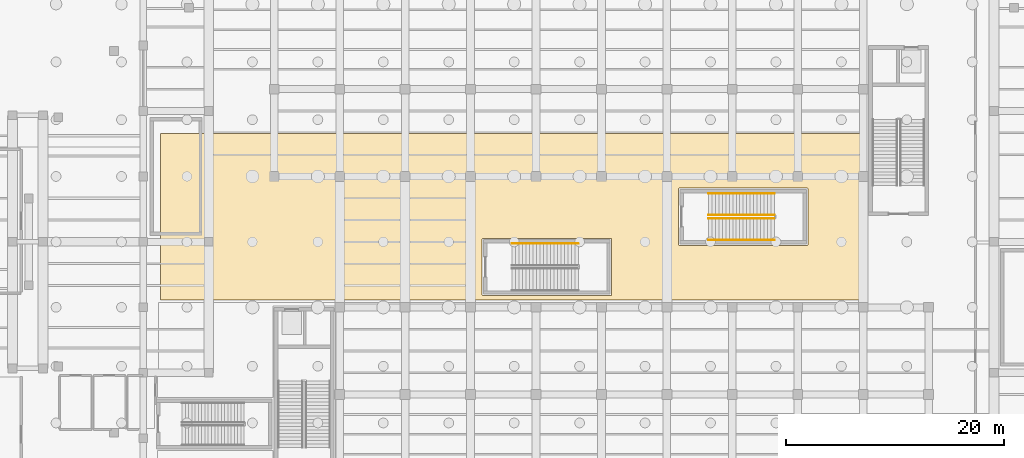
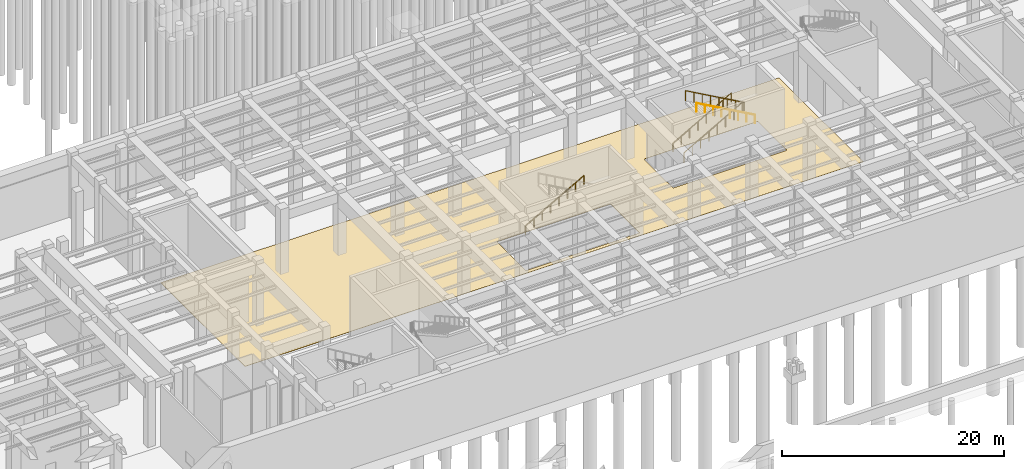
# One storey, part 27 of 30: 5 railings, 1 covering, 2 elements without a shape of their own.
"""IFC4 building model written with IfcOpenShell, lengths in metres."""

from ifc_helpers import new_model, si_unit, direction, frame, origin, origin_2d, place, context, subcontext, project, spatial, polyline, circle, outline, extrude, material, layer, layer_set, type_object, element, aggregate, save


model = new_model("IFC4")

# Units and contexts
model_context = context("Model", 3, precision=1e-05, world=origin(), true_north=direction((0.0, 1.0)))
body_context = subcontext(model_context, "Body", "Model", "MODEL_VIEW")
ifc_project = project(units=[si_unit("LENGTHUNIT", "METRE"), si_unit("AREAUNIT", "SQUARE_METRE"), si_unit("VOLUMEUNIT", "CUBIC_METRE"), si_unit("PLANEANGLEUNIT", "RADIAN"), si_unit("MASSUNIT", "GRAM", prefix="KILO")], contexts=[model_context])

# Site, building, storey
site_placement = place(None, origin())
site = spatial("IfcSite", under=ifc_project, at=site_placement, CompositionType="ELEMENT")
building_placement = place(site_placement, origin())
building = spatial("IfcBuilding", under=site, at=building_placement, Name="Kolvaren Corner Interchange", CompositionType="ELEMENT")
storey_placement = place(building_placement, frame((0.0, 0.0, -7.199951171875)))
storey = spatial("IfcBuildingStorey", under=building, at=storey_placement, Name="B1", CompositionType="ELEMENT", Elevation=-7.199951171875)

# Covering
ifc_material_1 = material(Name="Polished Niger Delta Granite Terrazzo Flooring", Category="masonry")
ifc_layer = layer(ifc_material_1, 0.030029296875)
ifc_layer_set = layer_set([ifc_layer], Name="Polished Niger Delta Granite Terrazzo Flooring")
covering_type = type_object("IfcCoveringType", Name="COV-FLR-TER30", PredefinedType="FLOORING", material=ifc_layer_set)
covering_placement = place(storey_placement, origin())
element("IfcCovering", 1, at=covering_placement, inside=storey, type_object=covering_type, Name="B1 Metro Island Platform Floor Finish", PredefinedType="FLOORING", context=body_context, shape_type="SweptSolid", body=[
    extrude(outline(polyline([(49.580078125, 42.679931640625), (114.02001953125, 42.679931640625), (114.02001953125, 57.919921875), (49.580078125, 57.919921875), (49.580078125, 42.679931640625)]), holes=[polyline([(97.093505859375, 47.693359375), (97.070068359375, 47.75), (97.070068359375, 52.85009765625), (97.08349609375, 52.894287109375), (97.119384765625, 52.923828125), (108.85009765625, 52.929931640625), (108.894287109375, 52.91650390625), (108.923828125, 52.880615234375), (108.929931640625, 47.75), (108.91650390625, 47.70556640625), (108.880615234375, 47.676025390625), (97.14990234375, 47.669921875), (97.093505859375, 47.693359375)]), polyline([(79.093505859375, 48.306640625), (79.14990234375, 48.330078125), (90.880615234375, 48.323974609375), (90.91650390625, 48.29443359375), (90.929931640625, 48.25), (90.923828125, 43.119384765625), (90.894287109375, 43.08349609375), (90.85009765625, 43.070068359375), (79.119384765625, 43.076171875), (79.08349609375, 43.105712890625), (79.070068359375, 43.14990234375), (79.070068359375, 48.25), (79.093505859375, 48.306640625)])]), origin(), (0.0, 0.0, 1.0), 0.030029296875),
])

# Stair, railings
ifc_material_2 = material(Name="Concrete C35/45", Category="concrete")
stair_type = type_object("IfcStairType", Name="ST-PL-2100", PredefinedType="HALF_TURN_STAIR", material=ifc_material_2)
stair_1_placement = place(storey_placement, origin())
stair_1 = element("IfcStair", 2, at=stair_1_placement, inside=storey, type_object=stair_type, Name="Metro Island Platform East Transfer Stair B1 to L01 Stair", PredefinedType="HALF_TURN_STAIR")
ifc_material_3 = material(Name="Powder-Coated Steel Stairwell Guardrail", Category="steel")
railing_type_1 = type_object("IfcRailingType", Name="RLT-STAIR-GRD1120", PredefinedType="GUARDRAIL", material=ifc_material_3)
railing_1_placement = place(storey_placement, frame((99.800048828125, 50.449951171875, 0.179931640625)))
railing_1 = element("IfcRailing", 3, at=railing_1_placement, type_object=railing_type_1, Name="Metro Island Platform East Transfer Stair B1 Lower Flight Well Guardrail", PredefinedType="GUARDRAIL", context=body_context, shape_type="SweptSolid", body=[
    extrude(circle(Radius=0.02392578125, at=origin_2d()), frame((0.0, 0.0, 1.09619140625), z_axis=(0.871574602437, 0.0, 0.490262901295), x_axis=(0.0, 1.0, 0.0)), (0.0, 0.0, 1.0), 6.9755859375),
    extrude(circle(Radius=0.02001953125, at=origin_2d()), origin(), (0.0, 0.0, 1.0), 1.072021484375),
    extrude(circle(Radius=0.02001953125, at=origin_2d()), frame((0.86865234375, 0.0, 0.488525390625)), (0.0, 0.0, 1.0), 1.072021484375),
    extrude(circle(Radius=0.02001953125, at=origin_2d()), frame((1.737060546875, 0.0, 0.97705078125)), (0.0, 0.0, 1.0), 1.072021484375),
    extrude(circle(Radius=0.02001953125, at=origin_2d()), frame((2.605712890625, 0.0, 1.465576171875)), (0.0, 0.0, 1.0), 1.072021484375),
    extrude(circle(Radius=0.02001953125, at=origin_2d()), frame((3.47412109375, 0.0, 1.954345703125)), (0.0, 0.0, 1.0), 1.072021484375),
    extrude(circle(Radius=0.02001953125, at=origin_2d()), frame((4.3427734375, 0.0, 2.44287109375)), (0.0, 0.0, 1.0), 1.072021484375),
    extrude(circle(Radius=0.02001953125, at=origin_2d()), frame((5.211181640625, 0.0, 2.931396484375)), (0.0, 0.0, 1.0), 1.072021484375),
    extrude(circle(Radius=0.02001953125, at=origin_2d()), frame((6.079833984375, 0.0, 3.419921875)), (0.0, 0.0, 1.0), 1.072021484375),
])
railing_2_placement = place(storey_placement, frame((105.8798828125, 50.14990234375, 3.780029296875)))
railing_2 = element("IfcRailing", 4, at=railing_2_placement, type_object=railing_type_1, Name="Metro Island Platform East Transfer Stair B1 Upper Flight Well Guardrail", PredefinedType="GUARDRAIL", context=body_context, shape_type="SweptSolid", body=[
    extrude(circle(Radius=0.02392578125, at=origin_2d()), frame((0.0, 0.0, 1.09619140625), z_axis=(-0.871574602437, 0.0, 0.490262901295), x_axis=(0.0, -1.0, 0.0)), (0.0, 0.0, 1.0), 6.9755859375),
    extrude(circle(Radius=0.02001953125, at=origin_2d()), origin(), (0.0, 0.0, 1.0), 1.072021484375),
    extrude(circle(Radius=0.02001953125, at=origin_2d()), frame((-0.86865234375, 0.0, 0.488525390625)), (0.0, 0.0, 1.0), 1.072021484375),
    extrude(circle(Radius=0.02001953125, at=origin_2d()), frame((-1.737060546875, 0.0, 0.97705078125)), (0.0, 0.0, 1.0), 1.072021484375),
    extrude(circle(Radius=0.02001953125, at=origin_2d()), frame((-2.605712890625, 0.0, 1.465576171875)), (0.0, 0.0, 1.0), 1.072021484375),
    extrude(circle(Radius=0.02001953125, at=origin_2d()), frame((-3.47412109375, 0.0, 1.954345703125)), (0.0, 0.0, 1.0), 1.072021484375),
    extrude(circle(Radius=0.02001953125, at=origin_2d()), frame((-4.3427734375, 0.0, 2.44287109375)), (0.0, 0.0, 1.0), 1.072021484375),
    extrude(circle(Radius=0.02001953125, at=origin_2d()), frame((-5.211181640625, 0.0, 2.931396484375)), (0.0, 0.0, 1.0), 1.072021484375),
    extrude(circle(Radius=0.02001953125, at=origin_2d()), frame((-6.079833984375, 0.0, 3.419921875)), (0.0, 0.0, 1.0), 1.072021484375),
])

# Stair, railing
stair_2_placement = place(storey_placement, origin())
stair_2 = element("IfcStair", 5, at=stair_2_placement, inside=storey, type_object=stair_type, Name="Metro Island Platform West Transfer Stair B1 to L01 Stair", PredefinedType="HALF_TURN_STAIR")
ifc_material_4 = material(Name="Brushed Stainless Steel Stair Handrail", Category="steel")
railing_type_2 = type_object("IfcRailingType", Name="RLT-STAIR-HR950", PredefinedType="HANDRAIL", material=ifc_material_4)
railing_3_placement = place(storey_placement, frame((81.800048828125, 47.840087890625, 0.179931640625)))
railing_3 = element("IfcRailing", 6, at=railing_3_placement, type_object=railing_type_2, Name="Metro Island Platform West Transfer Stair B1 Lower Flight Wall Handrail", PredefinedType="HANDRAIL", context=body_context, shape_type="SweptSolid", body=[
    extrude(circle(Radius=0.02197265625, at=origin_2d()), frame((0.0, 0.0, 0.927978515625), z_axis=(0.871574602437, 0.0, 0.490262901295), x_axis=(0.0, 1.0, 0.0)), (0.0, 0.0, 1.0), 6.9755859375),
    extrude(circle(Radius=0.01806640625, at=origin_2d()), origin(), (0.0, 0.0, 1.0), 0.906005859375),
    extrude(circle(Radius=0.01806640625, at=origin_2d()), frame((0.86865234375, 0.0, 0.488525390625)), (0.0, 0.0, 1.0), 0.906005859375),
    extrude(circle(Radius=0.01806640625, at=origin_2d()), frame((1.737060546875, 0.0, 0.97705078125)), (0.0, 0.0, 1.0), 0.906005859375),
    extrude(circle(Radius=0.01806640625, at=origin_2d()), frame((2.605712890625, 0.0, 1.465576171875)), (0.0, 0.0, 1.0), 0.906005859375),
    extrude(circle(Radius=0.01806640625, at=origin_2d()), frame((3.47412109375, 0.0, 1.954345703125)), (0.0, 0.0, 1.0), 0.906005859375),
    extrude(circle(Radius=0.01806640625, at=origin_2d()), frame((4.3427734375, 0.0, 2.44287109375)), (0.0, 0.0, 1.0), 0.906005859375),
    extrude(circle(Radius=0.01806640625, at=origin_2d()), frame((5.211181640625, 0.0, 2.931396484375)), (0.0, 0.0, 1.0), 0.906005859375),
    extrude(circle(Radius=0.01806640625, at=origin_2d()), frame((6.079833984375, 0.0, 3.419921875)), (0.0, 0.0, 1.0), 0.906005859375),
])
aggregate(stair_2, [railing_3])

# Railing
railing_4_placement = place(storey_placement, frame((99.800048828125, 52.43994140625, 0.179931640625)))
railing_4 = element("IfcRailing", 7, at=railing_4_placement, type_object=railing_type_2, Name="Metro Island Platform East Transfer Stair B1 Lower Flight Wall Handrail", PredefinedType="HANDRAIL", context=body_context, shape_type="SweptSolid", body=[
    extrude(circle(Radius=0.02197265625, at=origin_2d()), frame((0.0, 0.0, 0.927978515625), z_axis=(0.871574602437, 0.0, 0.490262901295), x_axis=(0.0, 1.0, 0.0)), (0.0, 0.0, 1.0), 6.9755859375),
    extrude(circle(Radius=0.01806640625, at=origin_2d()), origin(), (0.0, 0.0, 1.0), 0.906005859375),
    extrude(circle(Radius=0.01806640625, at=origin_2d()), frame((0.86865234375, 0.0, 0.488525390625)), (0.0, 0.0, 1.0), 0.906005859375),
    extrude(circle(Radius=0.01806640625, at=origin_2d()), frame((1.737060546875, 0.0, 0.97705078125)), (0.0, 0.0, 1.0), 0.906005859375),
    extrude(circle(Radius=0.01806640625, at=origin_2d()), frame((2.605712890625, 0.0, 1.465576171875)), (0.0, 0.0, 1.0), 0.906005859375),
    extrude(circle(Radius=0.01806640625, at=origin_2d()), frame((3.47412109375, 0.0, 1.954345703125)), (0.0, 0.0, 1.0), 0.906005859375),
    extrude(circle(Radius=0.01806640625, at=origin_2d()), frame((4.3427734375, 0.0, 2.44287109375)), (0.0, 0.0, 1.0), 0.906005859375),
    extrude(circle(Radius=0.01806640625, at=origin_2d()), frame((5.211181640625, 0.0, 2.931396484375)), (0.0, 0.0, 1.0), 0.906005859375),
    extrude(circle(Radius=0.01806640625, at=origin_2d()), frame((6.079833984375, 0.0, 3.419921875)), (0.0, 0.0, 1.0), 0.906005859375),
])

railing_5_placement = place(storey_placement, frame((105.8798828125, 48.159912109375, 3.780029296875)))
railing_5 = element("IfcRailing", 8, at=railing_5_placement, type_object=railing_type_2, Name="Metro Island Platform East Transfer Stair B1 Upper Flight Wall Handrail", PredefinedType="HANDRAIL", context=body_context, shape_type="SweptSolid", body=[
    extrude(circle(Radius=0.02197265625, at=origin_2d()), frame((0.0, 0.0, 0.927978515625), z_axis=(-0.871574602437, 0.0, 0.490262901295), x_axis=(0.0, -1.0, 0.0)), (0.0, 0.0, 1.0), 6.9755859375),
    extrude(circle(Radius=0.01806640625, at=origin_2d()), origin(), (0.0, 0.0, 1.0), 0.906005859375),
    extrude(circle(Radius=0.01806640625, at=origin_2d()), frame((-0.86865234375, 0.0, 0.488525390625)), (0.0, 0.0, 1.0), 0.906005859375),
    extrude(circle(Radius=0.01806640625, at=origin_2d()), frame((-1.737060546875, 0.0, 0.97705078125)), (0.0, 0.0, 1.0), 0.906005859375),
    extrude(circle(Radius=0.01806640625, at=origin_2d()), frame((-2.605712890625, 0.0, 1.465576171875)), (0.0, 0.0, 1.0), 0.906005859375),
    extrude(circle(Radius=0.01806640625, at=origin_2d()), frame((-3.47412109375, 0.0, 1.954345703125)), (0.0, 0.0, 1.0), 0.906005859375),
    extrude(circle(Radius=0.01806640625, at=origin_2d()), frame((-4.3427734375, 0.0, 2.44287109375)), (0.0, 0.0, 1.0), 0.906005859375),
    extrude(circle(Radius=0.01806640625, at=origin_2d()), frame((-5.211181640625, 0.0, 2.931396484375)), (0.0, 0.0, 1.0), 0.906005859375),
    extrude(circle(Radius=0.01806640625, at=origin_2d()), frame((-6.079833984375, 0.0, 3.419921875)), (0.0, 0.0, 1.0), 0.906005859375),
])

aggregate(stair_1, [railing_1, railing_2, railing_4, railing_5])

save(model, "model.ifc")
